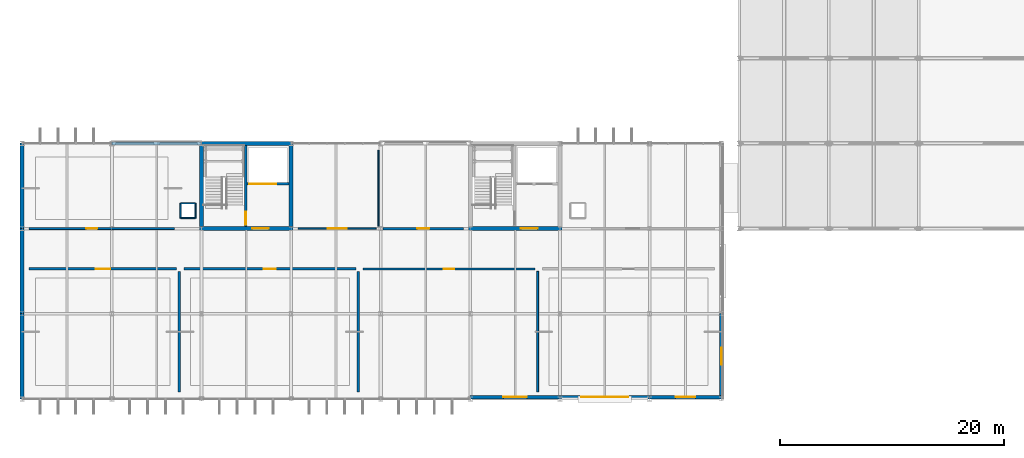
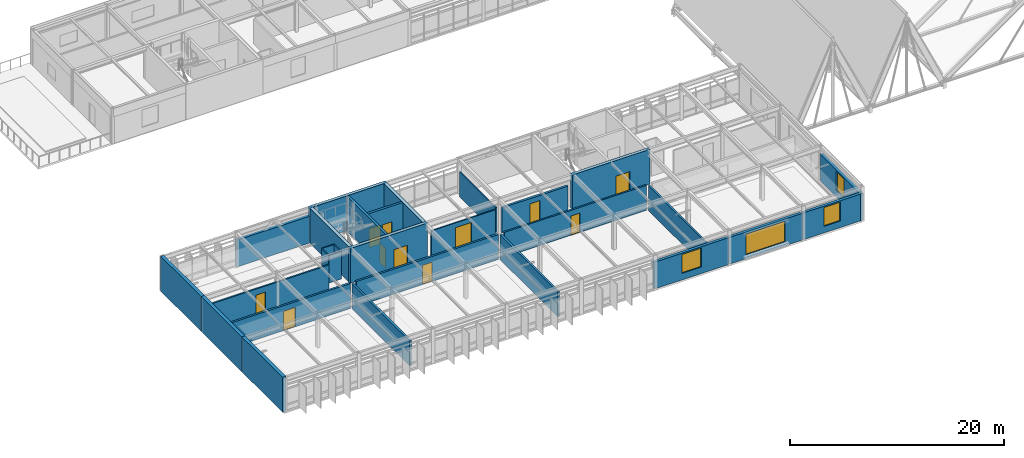
# One storey, part 69 of 85: 29 walls, 11 doors, 4 windows, 15 openings.
"""IFC4 building model written with IfcOpenShell, lengths in metres."""

from ifc_helpers import new_model, si_unit, direction, frame, frame_2d, origin, place, context, subcontext, project, spatial, rectangle, extrude, material, layer, layer_set, type_object, element, fill, save


model = new_model("IFC4")

# Units and contexts
model_context = context("Model", 3, precision=1e-05, world=origin(), true_north=direction((0.0, 1.0)))
body_context = subcontext(model_context, "Body", "Model", "MODEL_VIEW")
ifc_project = project(units=[si_unit("LENGTHUNIT", "METRE"), si_unit("AREAUNIT", "SQUARE_METRE"), si_unit("VOLUMEUNIT", "CUBIC_METRE"), si_unit("PLANEANGLEUNIT", "RADIAN"), si_unit("MASSUNIT", "GRAM", prefix="KILO")], contexts=[model_context])

# Site, building, storey
site_placement = place(None, origin())
site = spatial("IfcSite", under=ifc_project, at=site_placement, CompositionType="ELEMENT")
building_placement = place(site_placement, origin())
building = spatial("IfcBuilding", under=site, at=building_placement, Name="Zulena Civic Courthouse", CompositionType="ELEMENT")
storey_placement = place(building_placement, frame((0.0, 0.0, 25.199951171875)))
storey = spatial("IfcBuildingStorey", under=building, at=storey_placement, Name="L05", CompositionType="ELEMENT", Elevation=25.199951171875)

# Wall, opening, door
ifc_material_1 = material(Name="Concrete C40/50", Category="concrete")
ifc_layer_1 = layer(ifc_material_1, 0.25)
ifc_layer_set_1 = layer_set([ifc_layer_1], Name="Concrete C40/50")
wall_type_1 = type_object("IfcWallType", Name="CoreShearWall_RC250", PredefinedType="SHEAR", material=ifc_layer_set_1)
wall_1_placement = place(storey_placement, frame((23.949951171875, 15.375, 0.0), z_axis=(0.0, 0.0, 1.0), x_axis=(0.0, 1.0, 0.0)))
wall_1 = element("IfcWall", 1, at=wall_1_placement, inside=storey, type_object=wall_type_1, Name="cwall:K2A:L05:DIV", PredefinedType="SHEAR", context=body_context, shape_type="SweptSolid", body=[
    extrude(rectangle(XDim=7.25, YDim=0.25, at=frame_2d((3.625, 0.0))), origin(), (0.0, 0.0, 1.0), 3.989990234375),
])
opening_1_placement = place(wall_1_placement, frame((0.179931640625, 0.0, 0.0)))
opening_1 = element("IfcOpeningElement", 2, at=opening_1_placement, cuts=wall_1, Name="Opening ID08", PredefinedType="OPENING", context=body_context, shape_type="SweptSolid", body=[
    extrude(rectangle(XDim=1.14990234375, YDim=2.199951171875, at=frame_2d((0.574951171875, 1.10009765625))), frame((0.0, 0.135009765625, 0.0), z_axis=(0.0, -1.0, 0.0), x_axis=(1.0, 0.0, 0.0)), (0.0, 0.0, 1.0), 0.27001953125),
])
ifc_material_2 = material(Name="Fire-rated galvanised steel ASTM A653 Grade 50", Category="steel")
door_type_1 = type_object("IfcDoorType", Name="IntDoor_Stair_1150x2200", OperationType="NOTDEFINED", PredefinedType="DOOR", material=ifc_material_2)
door_1_placement = place(opening_1_placement, origin())
door_1 = element("IfcDoor", 3, at=door_1_placement, inside=storey, type_object=door_type_1, Name="door:stair:K2A:L05", OperationType="SINGLE_SWING_RIGHT", OverallHeight=2.199951171875, OverallWidth=1.14990234375, PredefinedType="DOOR", context=body_context, shape_type="SweptSolid", body=[
    extrude(rectangle(XDim=1.14990234375, YDim=2.199951171875, at=frame_2d((0.574951171875, 1.10009765625))), frame((0.0, 0.02490234375, 0.0), z_axis=(0.0, -1.0, 0.0), x_axis=(1.0, 0.0, 0.0)), (0.0, 0.0, 1.0), 0.050048828125),
])
fill(opening_1, door_1)

# Wall, openings, doors
wall_2_placement = place(storey_placement, frame((24.074951171875, 19.199951171875, 0.0), z_axis=(0.0, 0.0, 1.0), x_axis=(1.0, 0.0, 0.0)))
wall_2 = element("IfcWall", 4, at=wall_2_placement, inside=storey, type_object=wall_type_1, Name="cwall:K2A:L05:SHF", PredefinedType="SHEAR", context=body_context, shape_type="SweptSolid", body=[
    extrude(rectangle(XDim=3.75, YDim=0.25, at=frame_2d((1.875, 0.0))), origin(), (0.0, 0.0, 1.0), 3.989990234375),
])
opening_2_placement = place(wall_2_placement, frame((0.179931640625, 0.0, 0.0)))
opening_2 = element("IfcOpeningElement", 5, at=opening_2_placement, cuts=wall_2, Name="Opening LD01", PredefinedType="OPENING", context=body_context, shape_type="SweptSolid", body=[
    extrude(rectangle(XDim=1.199951171875, YDim=2.199951171875, at=frame_2d((0.60009765625, 1.10009765625))), frame((0.0, 0.135009765625, 0.0), z_axis=(0.0, -1.0, 0.0), x_axis=(1.0, 0.0, 0.0)), (0.0, 0.0, 1.0), 0.27001953125),
])
opening_3_placement = place(wall_2_placement, frame((1.550048828125, 0.0, 0.0)))
opening_3 = element("IfcOpeningElement", 6, at=opening_3_placement, cuts=wall_2, Name="Opening LD03", PredefinedType="OPENING", context=body_context, shape_type="SweptSolid", body=[
    extrude(rectangle(XDim=1.050048828125, YDim=2.199951171875, at=frame_2d((0.52490234375, 1.10009765625))), frame((0.0, 0.135009765625, 0.0), z_axis=(0.0, -1.0, 0.0), x_axis=(1.0, 0.0, 0.0)), (0.0, 0.0, 1.0), 0.27001953125),
])
door_type_2 = type_object("IfcDoorType", Name="LiftLandingDoor_FF_1200x2200", OperationType="SLIDING_TO_LEFT", PredefinedType="DOOR", material=ifc_material_2)
door_2_placement = place(opening_2_placement, origin())
door_2 = element("IfcDoor", 7, at=door_2_placement, inside=storey, type_object=door_type_2, Name="door:ld:FL-01:L05", OperationType="SLIDING_TO_LEFT", OverallHeight=2.199951171875, OverallWidth=1.199951171875, PredefinedType="DOOR", context=body_context, shape_type="SweptSolid", body=[
    extrude(rectangle(XDim=1.199951171875, YDim=2.199951171875, at=frame_2d((0.60009765625, 1.10009765625))), frame((0.0, 0.02490234375, 0.0), z_axis=(0.0, -1.0, 0.0), x_axis=(1.0, 0.0, 0.0)), (0.0, 0.0, 1.0), 0.050048828125),
])
fill(opening_2, door_2)
door_type_3 = type_object("IfcDoorType", Name="LiftLandingDoor_Jud_1050x2200", OperationType="SLIDING_TO_RIGHT", PredefinedType="DOOR", material=ifc_material_2)
door_3_placement = place(opening_3_placement, origin())
door_3 = element("IfcDoor", 8, at=door_3_placement, inside=storey, type_object=door_type_3, Name="door:ld:JL-01:L05", OperationType="SLIDING_TO_RIGHT", OverallHeight=2.199951171875, OverallWidth=1.050048828125, PredefinedType="DOOR", context=body_context, shape_type="SweptSolid", body=[
    extrude(rectangle(XDim=1.050048828125, YDim=2.199951171875, at=frame_2d((0.52490234375, 1.10009765625))), frame((0.0, 0.02490234375, 0.0), z_axis=(0.0, -1.0, 0.0), x_axis=(1.0, 0.0, 0.0)), (0.0, 0.0, 1.0), 0.050048828125),
])
fill(opening_3, door_3)

# Wall, opening, door
ifc_layer_2 = layer(ifc_material_1, 0.35009765625)
ifc_layer_set_2 = layer_set([ifc_layer_2], Name="Concrete C40/50")
wall_type_2 = type_object("IfcWallType", Name="CoreShearWall_RC350", PredefinedType="SHEAR", material=ifc_layer_set_2)
wall_3_placement = place(storey_placement, frame((19.824951171875, 15.199951171875, 0.0), z_axis=(0.0, 0.0, 1.0), x_axis=(1.0, 0.0, 0.0)))
wall_3 = element("IfcWall", 9, at=wall_3_placement, inside=storey, type_object=wall_type_2, Name="cwall:K2A:L05:S", PredefinedType="SHEAR", context=body_context, shape_type="SweptSolid", body=[
    extrude(rectangle(XDim=8.35009765625, YDim=0.35009765625, at=frame_2d((4.175048828125, 0.0))), origin(), (0.0, 0.0, 1.0), 3.989990234375),
])
opening_4_placement = place(wall_3_placement, frame((4.68505859375, 0.0, 0.0)))
opening_4 = element("IfcOpeningElement", 10, at=opening_4_placement, cuts=wall_3, Name="Opening ID05", PredefinedType="OPENING", context=body_context, shape_type="SweptSolid", body=[
    extrude(rectangle(XDim=1.5, YDim=2.199951171875, at=frame_2d((0.75, 1.10009765625))), frame((0.0, 0.18505859375, 0.0), z_axis=(0.0, -1.0, 0.0), x_axis=(1.0, 0.0, 0.0)), (0.0, 0.0, 1.0), 0.3701171875),
])
door_type_4 = type_object("IfcDoorType", Name="IntDoor_FFLobby_1500x2200", OperationType="DOUBLE_DOOR_SINGLE_SWING", PredefinedType="DOOR", material=ifc_material_2)
door_4_placement = place(opening_4_placement, origin())
door_4 = element("IfcDoor", 11, at=door_4_placement, inside=storey, type_object=door_type_4, Name="door:corelob:K2A:L05", OperationType="DOUBLE_DOOR_SINGLE_SWING", OverallHeight=2.199951171875, OverallWidth=1.5, PredefinedType="DOOR", context=body_context, shape_type="SweptSolid", body=[
    extrude(rectangle(XDim=1.5, YDim=2.199951171875, at=frame_2d((0.75, 1.10009765625))), frame((0.0, 0.02490234375, 0.0), z_axis=(0.0, -1.0, 0.0), x_axis=(1.0, 0.0, 0.0)), (0.0, 0.0, 1.0), 0.050048828125),
])
fill(opening_4, door_4)

# Walls
wall_4_placement = place(storey_placement, frame((19.824951171875, 22.800048828125, 0.0), z_axis=(0.0, 0.0, 1.0), x_axis=(1.0, 0.0, 0.0)))
element("IfcWall", 12, at=wall_4_placement, inside=storey, type_object=wall_type_2, Name="cwall:K2A:L05:N", PredefinedType="SHEAR", context=body_context, shape_type="SweptSolid", body=[
    extrude(rectangle(XDim=8.35009765625, YDim=0.35009765625, at=frame_2d((4.175048828125, 0.0))), origin(), (0.0, 0.0, 1.0), 3.989990234375),
])
for number, where, z_axis, x_axis, name in (
    (13, (20.0, 15.375, 0.0), (0.0, 0.0, 1.0), (0.0, 1.0, 0.0), "cwall:K2A:L05:W"),
    (14, (28.0, 15.375, 0.0), (0.0, 0.0, 1.0), (0.0, 1.0, 0.0), "cwall:K2A:L05:E"),
):
    element("IfcWall", number, at=place(storey_placement, frame(where, z_axis=z_axis, x_axis=x_axis)), inside=storey, type_object=wall_type_2, Name=name, PredefinedType="SHEAR", context=body_context, shape_type="SweptSolid", body=[
        extrude(rectangle(XDim=7.25, YDim=0.35009765625, at=frame_2d((3.625, 0.0))), origin(), (0.0, 0.0, 1.0), 3.989990234375),
    ])

# Wall, opening, door
wall_5_placement = place(storey_placement, frame((43.824951171875, 15.199951171875, 0.0), z_axis=(0.0, 0.0, 1.0), x_axis=(1.0, 0.0, 0.0)))
wall_5 = element("IfcWall", 15, at=wall_5_placement, inside=storey, type_object=wall_type_2, Name="cwall:K2B:L05:S", PredefinedType="SHEAR", context=body_context, shape_type="SweptSolid", body=[
    extrude(rectangle(XDim=8.35009765625, YDim=0.35009765625, at=frame_2d((4.175048828125, 0.0))), origin(), (0.0, 0.0, 1.0), 3.989990234375),
])
opening_5_placement = place(wall_5_placement, frame((4.68505859375, 0.0, 0.0)))
opening_5 = element("IfcOpeningElement", 16, at=opening_5_placement, cuts=wall_5, Name="Opening ID05", PredefinedType="OPENING", context=body_context, shape_type="SweptSolid", body=[
    extrude(rectangle(XDim=1.5, YDim=2.199951171875, at=frame_2d((0.75, 1.10009765625))), frame((0.0, 0.18505859375, 0.0), z_axis=(0.0, -1.0, 0.0), x_axis=(1.0, 0.0, 0.0)), (0.0, 0.0, 1.0), 0.3701171875),
])
door_5_placement = place(opening_5_placement, origin())
door_5 = element("IfcDoor", 17, at=door_5_placement, inside=storey, type_object=door_type_4, Name="door:corelob:K2B:L05", OperationType="DOUBLE_DOOR_SINGLE_SWING", OverallHeight=2.199951171875, OverallWidth=1.5, PredefinedType="DOOR", context=body_context, shape_type="SweptSolid", body=[
    extrude(rectangle(XDim=1.5, YDim=2.199951171875, at=frame_2d((0.75, 1.10009765625))), frame((0.0, 0.02490234375, 0.0), z_axis=(0.0, -1.0, 0.0), x_axis=(1.0, 0.0, 0.0)), (0.0, 0.0, 1.0), 0.050048828125),
])
fill(opening_5, door_5)

# Walls
ifc_layer_3 = layer(ifc_material_1, 0.360107421875)
ifc_layer_set_3 = layer_set([ifc_layer_3], Name="Concrete C40/50")
wall_type_3 = type_object("IfcWallType", Name="ExtWall_PartyWall_360", PredefinedType="STANDARD", material=ifc_layer_set_3)
wall_6_placement = place(storey_placement, frame((4.0, -0.02001953125, 0.0), z_axis=(0.0, 0.0, 1.0), x_axis=(0.0, 1.0, 0.0)))
element("IfcWall", 18, at=wall_6_placement, inside=storey, type_object=wall_type_3, Name="ewall:V2:L05:0:0", PredefinedType="STANDARD", context=body_context, shape_type="SweptSolid", body=[
    extrude(rectangle(XDim=7.64013671875, YDim=0.360107421875, at=frame_2d((3.820068359375, 0.0))), origin(), (0.0, 0.0, 1.0), 4.0),
])
wall_7_placement = place(storey_placement, frame((4.0, 7.580078125, 0.0), z_axis=(0.0, 0.0, 1.0), x_axis=(0.0, 1.0, 0.0)))
element("IfcWall", 19, at=wall_7_placement, inside=storey, type_object=wall_type_3, Name="ewall:V2:L05:0:1", PredefinedType="STANDARD", context=body_context, shape_type="SweptSolid", body=[
    extrude(rectangle(XDim=7.639892578125, YDim=0.360107421875, at=frame_2d((3.81982421875, 0.0))), origin(), (0.0, 0.0, 1.0), 4.0),
])
wall_8_placement = place(storey_placement, frame((4.0, 15.179931640625, 0.0), z_axis=(0.0, 0.0, 1.0), x_axis=(0.0, 1.0, 0.0)))
element("IfcWall", 20, at=wall_8_placement, inside=storey, type_object=wall_type_3, Name="ewall:V2:L05:0:2", PredefinedType="STANDARD", context=body_context, shape_type="SweptSolid", body=[
    extrude(rectangle(XDim=7.64013671875, YDim=0.360107421875, at=frame_2d((3.820068359375, 0.0))), origin(), (0.0, 0.0, 1.0), 4.0),
])
ifc_material_3 = material(Name="White architectural precast concrete C40/50", Category="concrete")
ifc_layer_4 = layer(ifc_material_3, 0.300048828125)
ifc_layer_set_4 = layer_set([ifc_layer_4], Name="White architectural precast concrete C40/50")
wall_type_4 = type_object("IfcWallType", Name="ExtWall_WhitePrecast_300", PredefinedType="STANDARD", material=ifc_layer_set_4)
wall_9_placement = place(storey_placement, frame((11.97998046875, 22.800048828125, 0.0), z_axis=(0.0, 0.0, 1.0), x_axis=(1.0, 0.0, 0.0)))
element("IfcWall", 21, at=wall_9_placement, inside=storey, type_object=wall_type_4, Name="ewall:V2:L05:1:1", PredefinedType="STANDARD", context=body_context, shape_type="SweptSolid", body=[
    extrude(rectangle(XDim=8.0400390625, YDim=0.300048828125, at=frame_2d((4.02001953125, 0.0))), origin(), (0.0, 0.0, 1.0), 3.06005859375),
])

# Wall, opening, window
wall_10_placement = place(storey_placement, frame((66.39990234375, 7.6201171875, 0.0), z_axis=(0.0, 0.0, 1.0), x_axis=(0.0, -1.0, 0.0)))
wall_10 = element("IfcWall", 22, at=wall_10_placement, inside=storey, type_object=wall_type_4, Name="ewall:V2:L05:2:2", PredefinedType="STANDARD", context=body_context, shape_type="SweptSolid", body=[
    extrude(rectangle(XDim=7.64013671875, YDim=0.300048828125, at=frame_2d((3.820068359375, 0.0))), origin(), (0.0, 0.0, 1.0), 3.06005859375),
])
opening_6_placement = place(wall_10_placement, frame((3.070068359375, 0.0, 0.75)))
opening_6 = element("IfcOpeningElement", 23, at=opening_6_placement, cuts=wall_10, Name="Opening WN09", PredefinedType="OPENING", context=body_context, shape_type="SweptSolid", body=[
    extrude(rectangle(XDim=1.5, YDim=2.14990234375, at=frame_2d((0.75, 1.074951171875))), frame((0.0, 0.159912109375, 0.0), z_axis=(0.0, -1.0, 0.0), x_axis=(1.0, 0.0, 0.0)), (0.0, 0.0, 1.0), 0.320068359375),
])
ifc_material_4 = material(Name="Double-silver low-E laminated solar-control glass", Category="glass")
window_type_1 = type_object("IfcWindowType", Name="Win_1500x2150", PartitioningType="SINGLE_PANEL", PredefinedType="WINDOW", material=ifc_material_4)
window_1_placement = place(opening_6_placement, origin())
window_1 = element("IfcWindow", 24, at=window_1_placement, inside=storey, type_object=window_type_1, Name="win:V2:L05:2:2", OverallHeight=2.14990234375, OverallWidth=1.5, PartitioningType="SINGLE_PANEL", PredefinedType="WINDOW", context=body_context, shape_type="SweptSolid", body=[
    extrude(rectangle(XDim=1.5, YDim=2.14990234375, at=frame_2d((0.75, 1.074951171875))), frame((0.0, 0.030029296875, 0.0), z_axis=(0.0, -1.0, 0.0), x_axis=(1.0, 0.0, 0.0)), (0.0, 0.0, 1.0), 0.06005859375),
])
fill(opening_6, window_1)

wall_11_placement = place(storey_placement, frame((66.419921875, 0.159912109375, 0.0), z_axis=(0.0, 0.0, 1.0), x_axis=(-1.0, 0.0, 0.0)))
wall_11 = element("IfcWall", 25, at=wall_11_placement, inside=storey, type_object=wall_type_4, Name="ewall:V2:L05:3:0", PredefinedType="STANDARD", context=body_context, shape_type="SweptSolid", body=[
    extrude(rectangle(XDim=6.43994140625, YDim=0.300048828125, at=frame_2d((3.219970703125, 0.0))), origin(), (0.0, 0.0, 1.0), 3.06005859375),
])
opening_7_placement = place(wall_11_placement, frame((2.344970703125, 0.0, 0.75)))
opening_7 = element("IfcOpeningElement", 26, at=opening_7_placement, cuts=wall_11, Name="Opening WN10", PredefinedType="OPENING", context=body_context, shape_type="SweptSolid", body=[
    extrude(rectangle(XDim=1.75, YDim=2.14990234375, at=frame_2d((0.875, 1.074951171875))), frame((0.0, 0.159912109375, 0.0), z_axis=(0.0, -1.0, 0.0), x_axis=(1.0, 0.0, 0.0)), (0.0, 0.0, 1.0), 0.320068359375),
])
window_type_2 = type_object("IfcWindowType", Name="Win_1750x2150", PartitioningType="SINGLE_PANEL", PredefinedType="WINDOW", material=ifc_material_4)
window_2_placement = place(opening_7_placement, origin())
window_2 = element("IfcWindow", 27, at=window_2_placement, inside=storey, type_object=window_type_2, Name="win:V2:L05:3:0", OverallHeight=2.14990234375, OverallWidth=1.75, PartitioningType="SINGLE_PANEL", PredefinedType="WINDOW", context=body_context, shape_type="SweptSolid", body=[
    extrude(rectangle(XDim=1.75, YDim=2.14990234375, at=frame_2d((0.875, 1.074951171875))), frame((0.0, 0.030029296875, 0.0), z_axis=(0.0, -1.0, 0.0), x_axis=(1.0, 0.0, 0.0)), (0.0, 0.0, 1.0), 0.06005859375),
])
fill(opening_7, window_2)

wall_12_placement = place(storey_placement, frame((60.02001953125, 0.159912109375, 0.0), z_axis=(0.0, 0.0, 1.0), x_axis=(-1.0, 0.0, 0.0)))
wall_12 = element("IfcWall", 28, at=wall_12_placement, inside=storey, type_object=wall_type_4, Name="ewall:V2:L05:3:1", PredefinedType="STANDARD", context=body_context, shape_type="SweptSolid", body=[
    extrude(rectangle(XDim=8.0400390625, YDim=0.300048828125, at=frame_2d((4.02001953125, 0.0))), origin(), (0.0, 0.0, 1.0), 3.06005859375),
])
opening_8_placement = place(wall_12_placement, frame((1.919921875, 0.0, 0.449951171875)))
opening_8 = element("IfcOpeningElement", 29, at=opening_8_placement, cuts=wall_12, Name="Opening WN49", PredefinedType="OPENING", context=body_context, shape_type="SweptSolid", body=[
    extrude(rectangle(XDim=4.199951171875, YDim=2.360107421875, at=frame_2d((2.10009765625, 1.18017578125))), frame((0.0, 0.159912109375, 0.0), z_axis=(0.0, -1.0, 0.0), x_axis=(1.0, 0.0, 0.0)), (0.0, 0.0, 1.0), 0.320068359375),
])
window_type_3 = type_object("IfcWindowType", Name="Win_4200x2800", PartitioningType="DOUBLE_PANEL_VERTICAL", PredefinedType="WINDOW", material=ifc_material_4)
window_3_placement = place(opening_8_placement, origin())
window_3 = element("IfcWindow", 30, at=window_3_placement, inside=storey, type_object=window_type_3, Name="win:outlook:L05:3:1", OverallHeight=2.360107421875, OverallWidth=4.199951171875, PartitioningType="SINGLE_PANEL", PredefinedType="WINDOW", context=body_context, shape_type="SweptSolid", body=[
    extrude(rectangle(XDim=4.199951171875, YDim=2.360107421875, at=frame_2d((2.10009765625, 1.18017578125))), frame((0.0, 0.030029296875, 0.0), z_axis=(0.0, -1.0, 0.0), x_axis=(1.0, 0.0, 0.0)), (0.0, 0.0, 1.0), 0.06005859375),
])
fill(opening_8, window_3)

wall_13_placement = place(storey_placement, frame((52.02001953125, 0.159912109375, 0.0), z_axis=(0.0, 0.0, 1.0), x_axis=(-1.0, 0.0, 0.0)))
wall_13 = element("IfcWall", 31, at=wall_13_placement, inside=storey, type_object=wall_type_4, Name="ewall:V2:L05:3:2", PredefinedType="STANDARD", context=body_context, shape_type="SweptSolid", body=[
    extrude(rectangle(XDim=8.0400390625, YDim=0.300048828125, at=frame_2d((4.02001953125, 0.0))), origin(), (0.0, 0.0, 1.0), 3.06005859375),
])
opening_9_placement = place(wall_13_placement, frame((2.969970703125, 0.0, 0.75)))
opening_9 = element("IfcOpeningElement", 32, at=opening_9_placement, cuts=wall_13, Name="Opening WN11", PredefinedType="OPENING", context=body_context, shape_type="SweptSolid", body=[
    extrude(rectangle(XDim=2.10009765625, YDim=2.14990234375, at=frame_2d((1.050048828125, 1.074951171875))), frame((0.0, 0.159912109375, 0.0), z_axis=(0.0, -1.0, 0.0), x_axis=(1.0, 0.0, 0.0)), (0.0, 0.0, 1.0), 0.320068359375),
])
window_type_4 = type_object("IfcWindowType", Name="Win_2100x2150", PartitioningType="DOUBLE_PANEL_VERTICAL", PredefinedType="WINDOW", material=ifc_material_4)
window_4_placement = place(opening_9_placement, origin())
window_4 = element("IfcWindow", 33, at=window_4_placement, inside=storey, type_object=window_type_4, Name="win:V2:L05:3:2", OverallHeight=2.14990234375, OverallWidth=2.10009765625, PartitioningType="SINGLE_PANEL", PredefinedType="WINDOW", context=body_context, shape_type="SweptSolid", body=[
    extrude(rectangle(XDim=2.10009765625, YDim=2.14990234375, at=frame_2d((1.050048828125, 1.074951171875))), frame((0.0, 0.030029296875, 0.0), z_axis=(0.0, -1.0, 0.0), x_axis=(1.0, 0.0, 0.0)), (0.0, 0.0, 1.0), 0.06005859375),
])
fill(opening_9, window_4)

# Wall, opening, door
ifc_material_5 = material(Name="Acoustic fire-rated gypsum board assembly", Category="masonry")
ifc_layer_5 = layer(ifc_material_5, 0.177978515625)
ifc_layer_set_5 = layer_set([ifc_layer_5], Name="Acoustic fire-rated gypsum board assembly")
wall_type_5 = type_object("IfcWallType", Name="PartWall_Corridor_178", PredefinedType="PARTITIONING", material=ifc_layer_set_5)
wall_14_placement = place(storey_placement, frame((34.419921875, 11.60009765625, 0.0), z_axis=(0.0, 0.0, 1.0), x_axis=(1.0, 0.0, 0.0)))
wall_14 = element("IfcWall", 34, at=wall_14_placement, inside=storey, type_object=wall_type_5, Name="pwall:L05:334:0", PredefinedType="PARTITIONING", context=body_context, shape_type="SweptSolid", body=[
    extrude(rectangle(XDim=15.360107421875, YDim=0.177978515625, at=frame_2d((7.68017578125, 0.0))), origin(), (0.0, 0.0, 1.0), 2.85009765625),
])
opening_10_placement = place(wall_14_placement, frame((7.2099609375, 0.0, 0.0)))
opening_10 = element("IfcOpeningElement", 35, at=opening_10_placement, cuts=wall_14, Name="Opening ID22", PredefinedType="OPENING", context=body_context, shape_type="SweptSolid", body=[
    extrude(rectangle(XDim=0.93994140625, YDim=2.199951171875, at=frame_2d((0.469970703125, 1.10009765625))), frame((0.0, 0.098876953125, 0.0), z_axis=(0.0, -1.0, 0.0), x_axis=(1.0, 0.0, 0.0)), (0.0, 0.0, 1.0), 0.197998046875),
])
ifc_material_6 = material(Name="Solid-core acoustic hardwood timber", Category="wood")
door_type_5 = type_object("IfcDoorType", Name="IntDoor_Witness_940x2200", OperationType="NOTDEFINED", PredefinedType="DOOR", material=ifc_material_6)
door_6_placement = place(opening_10_placement, origin())
door_6 = element("IfcDoor", 36, at=door_6_placement, inside=storey, type_object=door_type_5, Name="door:rm:L05:334", OperationType="SINGLE_SWING_LEFT", OverallHeight=2.199951171875, OverallWidth=0.93994140625, PredefinedType="DOOR", context=body_context, shape_type="SweptSolid", body=[
    extrude(rectangle(XDim=0.93994140625, YDim=2.199951171875, at=frame_2d((0.469970703125, 1.10009765625))), frame((0.0, 0.02490234375, 0.0), z_axis=(0.0, -1.0, 0.0), x_axis=(1.0, 0.0, 0.0)), (0.0, 0.0, 1.0), 0.050048828125),
])
fill(opening_10, door_6)

# Wall
wall_15_placement = place(storey_placement, frame((50.0, 0.6201171875, 0.0), z_axis=(0.0, 0.0, 1.0), x_axis=(0.0, 1.0, 0.0)))
element("IfcWall", 37, at=wall_15_placement, inside=storey, type_object=wall_type_5, Name="pwall:L05:334:1", PredefinedType="PARTITIONING", context=body_context, shape_type="SweptSolid", body=[
    extrude(rectangle(XDim=10.759765625, YDim=0.177978515625, at=frame_2d((5.3798828125, 0.0))), origin(), (0.0, 0.0, 1.0), 2.85009765625),
])

# Wall, opening, door
ifc_layer_6 = layer(ifc_material_5, 0.215087890625)
ifc_layer_set_6 = layer_set([ifc_layer_6], Name="Acoustic fire-rated gypsum board assembly")
wall_type_6 = type_object("IfcWallType", Name="PartWall_CourtAcoustic_215", PredefinedType="PARTITIONING", material=ifc_layer_set_6)
wall_16_placement = place(storey_placement, frame((4.6201171875, 11.60009765625, 0.0), z_axis=(0.0, 0.0, 1.0), x_axis=(1.0, 0.0, 0.0)))
wall_16 = element("IfcWall", 38, at=wall_16_placement, inside=storey, type_object=wall_type_6, Name="pwall:L05:332:0", PredefinedType="PARTITIONING", context=body_context, shape_type="SweptSolid", body=[
    extrude(rectangle(XDim=13.159912109375, YDim=0.215087890625, at=frame_2d((6.580078125, 0.0))), origin(), (0.0, 0.0, 1.0), 2.85009765625),
])
opening_11_placement = place(wall_16_placement, frame((5.929931640625, 0.0, 0.0)))
opening_11 = element("IfcOpeningElement", 39, at=opening_11_placement, cuts=wall_16, Name="Opening ID20", PredefinedType="OPENING", context=body_context, shape_type="SweptSolid", body=[
    extrude(rectangle(XDim=1.300048828125, YDim=2.199951171875, at=frame_2d((0.64990234375, 1.10009765625))), frame((0.0, 0.117431640625, 0.0), z_axis=(0.0, -1.0, 0.0), x_axis=(1.0, 0.0, 0.0)), (0.0, 0.0, 1.0), 0.235107421875),
])
door_type_6 = type_object("IfcDoorType", Name="IntDoor_Archive_1300x2200", OperationType="NOTDEFINED", PredefinedType="DOOR", material=ifc_material_2)
door_7_placement = place(opening_11_placement, origin())
door_7 = element("IfcDoor", 40, at=door_7_placement, inside=storey, type_object=door_type_6, Name="door:rm:L05:332", OperationType="SINGLE_SWING_LEFT", OverallHeight=2.199951171875, OverallWidth=1.300048828125, PredefinedType="DOOR", context=body_context, shape_type="SweptSolid", body=[
    extrude(rectangle(XDim=1.300048828125, YDim=2.199951171875, at=frame_2d((0.64990234375, 1.10009765625))), frame((0.0, 0.02490234375, 0.0), z_axis=(0.0, -1.0, 0.0), x_axis=(1.0, 0.0, 0.0)), (0.0, 0.0, 1.0), 0.050048828125),
])
fill(opening_11, door_7)

# Wall
wall_17_placement = place(storey_placement, frame((18.0, 0.6201171875, 0.0), z_axis=(0.0, 0.0, 1.0), x_axis=(0.0, 1.0, 0.0)))
element("IfcWall", 41, at=wall_17_placement, inside=storey, type_object=wall_type_6, Name="pwall:L05:332:1", PredefinedType="PARTITIONING", context=body_context, shape_type="SweptSolid", body=[
    extrude(rectangle(XDim=10.759765625, YDim=0.215087890625, at=frame_2d((5.3798828125, 0.0))), origin(), (0.0, 0.0, 1.0), 2.85009765625),
])

# Wall, opening, door
wall_18_placement = place(storey_placement, frame((18.419921875, 11.60009765625, 0.0), z_axis=(0.0, 0.0, 1.0), x_axis=(1.0, 0.0, 0.0)))
wall_18 = element("IfcWall", 42, at=wall_18_placement, inside=storey, type_object=wall_type_6, Name="pwall:L05:333:0", PredefinedType="PARTITIONING", context=body_context, shape_type="SweptSolid", body=[
    extrude(rectangle(XDim=15.360107421875, YDim=0.215087890625, at=frame_2d((7.68017578125, 0.0))), origin(), (0.0, 0.0, 1.0), 2.85009765625),
])
opening_12_placement = place(wall_18_placement, frame((7.159912109375, 0.0, 0.0)))
opening_12 = element("IfcOpeningElement", 43, at=opening_12_placement, cuts=wall_18, Name="Opening ID21", PredefinedType="OPENING", context=body_context, shape_type="SweptSolid", body=[
    extrude(rectangle(XDim=1.0400390625, YDim=2.199951171875, at=frame_2d((0.52001953125, 1.10009765625))), frame((0.0, 0.117431640625, 0.0), z_axis=(0.0, -1.0, 0.0), x_axis=(1.0, 0.0, 0.0)), (0.0, 0.0, 1.0), 0.235107421875),
])
door_type_7 = type_object("IfcDoorType", Name="IntDoor_Mediation_1040x2200", OperationType="NOTDEFINED", PredefinedType="DOOR", material=ifc_material_6)
door_8_placement = place(opening_12_placement, origin())
door_8 = element("IfcDoor", 44, at=door_8_placement, inside=storey, type_object=door_type_7, Name="door:rm:L05:333", OperationType="SINGLE_SWING_RIGHT", OverallHeight=2.199951171875, OverallWidth=1.0400390625, PredefinedType="DOOR", context=body_context, shape_type="SweptSolid", body=[
    extrude(rectangle(XDim=1.0400390625, YDim=2.199951171875, at=frame_2d((0.52001953125, 1.10009765625))), frame((0.0, 0.02490234375, 0.0), z_axis=(0.0, -1.0, 0.0), x_axis=(1.0, 0.0, 0.0)), (0.0, 0.0, 1.0), 0.050048828125),
])
fill(opening_12, door_8)

# Wall
wall_19_placement = place(storey_placement, frame((34.0, 0.6201171875, 0.0), z_axis=(0.0, 0.0, 1.0), x_axis=(0.0, 1.0, 0.0)))
element("IfcWall", 45, at=wall_19_placement, inside=storey, type_object=wall_type_6, Name="pwall:L05:333:1", PredefinedType="PARTITIONING", context=body_context, shape_type="SweptSolid", body=[
    extrude(rectangle(XDim=10.759765625, YDim=0.215087890625, at=frame_2d((5.3798828125, 0.0))), origin(), (0.0, 0.0, 1.0), 2.85009765625),
])

# Wall, opening, door
ifc_material_7 = material(Name="Insulated blockwork masonry ASTM C90", Category="masonry")
ifc_layer_7 = layer(ifc_material_7, 0.239990234375)
ifc_layer_set_7 = layer_set([ifc_layer_7], Name="Insulated blockwork masonry ASTM C90")
wall_type_7 = type_object("IfcWallType", Name="PartWall_Custody_240", PredefinedType="PARTITIONING", material=ifc_layer_set_7)
wall_20_placement = place(storey_placement, frame((36.219970703125, 15.199951171875, 0.0), z_axis=(0.0, 0.0, 1.0), x_axis=(1.0, 0.0, 0.0)))
wall_20 = element("IfcWall", 46, at=wall_20_placement, inside=storey, type_object=wall_type_7, Name="pwall:L05:338:0", PredefinedType="PARTITIONING", context=body_context, shape_type="SweptSolid", body=[
    extrude(rectangle(XDim=7.159912109375, YDim=0.239990234375, at=frame_2d((3.580078125, 0.0))), origin(), (0.0, 0.0, 1.0), 2.85009765625),
])
opening_13_placement = place(wall_20_placement, frame((3.0400390625, 0.0, 0.0)))
opening_13 = element("IfcOpeningElement", 47, at=opening_13_placement, cuts=wall_20, Name="Opening ID26", PredefinedType="OPENING", context=body_context, shape_type="SweptSolid", body=[
    extrude(rectangle(XDim=1.080078125, YDim=2.25, at=frame_2d((0.5400390625, 1.125))), frame((0.0, 0.1298828125, 0.0), z_axis=(0.0, -1.0, 0.0), x_axis=(1.0, 0.0, 0.0)), (0.0, 0.0, 1.0), 0.260009765625),
])
door_type_8 = type_object("IfcDoorType", Name="IntDoor_PlantSingle_1080x2250", OperationType="NOTDEFINED", PredefinedType="DOOR", material=ifc_material_2)
door_9_placement = place(opening_13_placement, origin())
door_9 = element("IfcDoor", 48, at=door_9_placement, inside=storey, type_object=door_type_8, Name="door:rm:L05:338", OperationType="SINGLE_SWING_RIGHT", OverallHeight=2.25, OverallWidth=1.080078125, PredefinedType="DOOR", context=body_context, shape_type="SweptSolid", body=[
    extrude(rectangle(XDim=1.080078125, YDim=2.25, at=frame_2d((0.5400390625, 1.125))), frame((0.0, 0.02490234375, 0.0), z_axis=(0.0, -1.0, 0.0), x_axis=(1.0, 0.0, 0.0)), (0.0, 0.0, 1.0), 0.050048828125),
])
fill(opening_13, door_9)

ifc_layer_8 = layer(ifc_material_5, 0.162109375)
ifc_layer_set_8 = layer_set([ifc_layer_8], Name="Acoustic fire-rated gypsum board assembly")
wall_type_8 = type_object("IfcWallType", Name="PartWall_Jury_162", PredefinedType="PARTITIONING", material=ifc_layer_set_8)
wall_21_placement = place(storey_placement, frame((4.6201171875, 15.199951171875, 0.0), z_axis=(0.0, 0.0, 1.0), x_axis=(1.0, 0.0, 0.0)))
wall_21 = element("IfcWall", 49, at=wall_21_placement, inside=storey, type_object=wall_type_8, Name="pwall:L05:336:0", PredefinedType="PARTITIONING", context=body_context, shape_type="SweptSolid", body=[
    extrude(rectangle(XDim=12.9599609375, YDim=0.162109375, at=frame_2d((6.47998046875, 0.0))), origin(), (0.0, 0.0, 1.0), 2.85009765625),
])
opening_14_placement = place(wall_21_placement, frame((5.080078125, 0.0, 0.0)))
opening_14 = element("IfcOpeningElement", 50, at=opening_14_placement, cuts=wall_21, Name="Opening ID24", PredefinedType="OPENING", context=body_context, shape_type="SweptSolid", body=[
    extrude(rectangle(XDim=1.0, YDim=2.14990234375, at=frame_2d((0.5, 1.074951171875))), frame((0.0, 0.091064453125, 0.0), z_axis=(0.0, -1.0, 0.0), x_axis=(1.0, 0.0, 0.0)), (0.0, 0.0, 1.0), 0.18212890625),
])
door_type_9 = type_object("IfcDoorType", Name="IntDoor_AccWC_1000x2150", OperationType="NOTDEFINED", PredefinedType="DOOR", material=ifc_material_6)
door_10_placement = place(opening_14_placement, origin())
door_10 = element("IfcDoor", 51, at=door_10_placement, inside=storey, type_object=door_type_9, Name="door:rm:L05:336", OperationType="SINGLE_SWING_LEFT", OverallHeight=2.14990234375, OverallWidth=1.0, PredefinedType="DOOR", context=body_context, shape_type="SweptSolid", body=[
    extrude(rectangle(XDim=1.0, YDim=2.14990234375, at=frame_2d((0.5, 1.074951171875))), frame((0.0, 0.02490234375, 0.0), z_axis=(0.0, -1.0, 0.0), x_axis=(1.0, 0.0, 0.0)), (0.0, 0.0, 1.0), 0.050048828125),
])
fill(opening_14, door_10)

# Walls
ifc_layer_9 = layer(ifc_material_7, 0.114990234375)
ifc_layer_set_9 = layer_set([ifc_layer_9], Name="Insulated blockwork masonry ASTM C90")
wall_type_9 = type_object("IfcWallType", Name="PartWall_Riser_115", PredefinedType="PARTITIONING", material=ifc_layer_set_9)
for number, where, z_axis, x_axis, name in (
    (52, (18.139892578125, 16.139892578125, 0.0), (0.0, 0.0, 1.0), (1.0, 0.0, 0.0), "riser:RS-V2W:L05:0"),
    (53, (19.4599609375, 16.139892578125, 0.0), (0.0, 0.0, 1.0), (0.0, 1.0, 0.0), "riser:RS-V2W:L05:1"),
    (54, (19.4599609375, 17.4599609375, 0.0), (0.0, 0.0, 1.0), (-1.0, 0.0, 0.0), "riser:RS-V2W:L05:2"),
    (55, (18.139892578125, 17.4599609375, 0.0), (0.0, 0.0, 1.0), (0.0, -1.0, 0.0), "riser:RS-V2W:L05:3"),
):
    element("IfcWall", number, at=place(storey_placement, frame(where, z_axis=z_axis, x_axis=x_axis)), inside=storey, type_object=wall_type_9, Name=name, PredefinedType="PARTITIONING", context=body_context, shape_type="SweptSolid", body=[
        extrude(rectangle(XDim=1.320068359375, YDim=0.114990234375, at=frame_2d((0.66015625, 0.0))), origin(), (0.0, 0.0, 1.0), 3.150146484375),
    ])

# Wall, opening, door
ifc_layer_10 = layer(ifc_material_7, 0.1279296875)
ifc_layer_set_10 = layer_set([ifc_layer_10], Name="Insulated blockwork masonry ASTM C90")
wall_type_10 = type_object("IfcWallType", Name="PartWall_WetRoom_128", PredefinedType="PARTITIONING", material=ifc_layer_set_10)
wall_22_placement = place(storey_placement, frame((28.6201171875, 15.199951171875, 0.0), z_axis=(0.0, 0.0, 1.0), x_axis=(1.0, 0.0, 0.0)))
wall_22 = element("IfcWall", 56, at=wall_22_placement, inside=storey, type_object=wall_type_10, Name="pwall:L05:337:0", PredefinedType="PARTITIONING", context=body_context, shape_type="SweptSolid", body=[
    extrude(rectangle(XDim=6.9599609375, YDim=0.1279296875, at=frame_2d((3.47998046875, 0.0))), origin(), (0.0, 0.0, 1.0), 2.85009765625),
])
opening_15_placement = place(wall_22_placement, frame((2.6298828125, 0.0, 0.0)))
opening_15 = element("IfcOpeningElement", 57, at=opening_15_placement, cuts=wall_22, Name="Opening ID25", PredefinedType="OPENING", context=body_context, shape_type="SweptSolid", body=[
    extrude(rectangle(XDim=1.699951171875, YDim=2.300048828125, at=frame_2d((0.85009765625, 1.14990234375))), frame((0.0, 0.073974609375, 0.0), z_axis=(0.0, -1.0, 0.0), x_axis=(1.0, 0.0, 0.0)), (0.0, 0.0, 1.0), 0.14794921875),
])
door_type_10 = type_object("IfcDoorType", Name="IntDoor_PlantDouble_1700x2300", OperationType="DOUBLE_DOOR_SINGLE_SWING", PredefinedType="DOOR", material=ifc_material_2)
door_11_placement = place(opening_15_placement, origin())
door_11 = element("IfcDoor", 58, at=door_11_placement, inside=storey, type_object=door_type_10, Name="door:rm:L05:337", OperationType="DOUBLE_DOOR_SINGLE_SWING", OverallHeight=2.300048828125, OverallWidth=1.699951171875, PredefinedType="DOOR", context=body_context, shape_type="SweptSolid", body=[
    extrude(rectangle(XDim=1.699951171875, YDim=2.300048828125, at=frame_2d((0.85009765625, 1.14990234375))), frame((0.0, 0.02490234375, 0.0), z_axis=(0.0, -1.0, 0.0), x_axis=(1.0, 0.0, 0.0)), (0.0, 0.0, 1.0), 0.050048828125),
])
fill(opening_15, door_11)

# Wall
wall_23_placement = place(storey_placement, frame((35.800048828125, 15.419921875, 0.0), z_axis=(0.0, 0.0, 1.0), x_axis=(0.0, 1.0, 0.0)))
element("IfcWall", 59, at=wall_23_placement, inside=storey, type_object=wall_type_10, Name="pwall:L05:337:1", PredefinedType="PARTITIONING", context=body_context, shape_type="SweptSolid", body=[
    extrude(rectangle(XDim=6.760009765625, YDim=0.1279296875, at=frame_2d((3.3798828125, 0.0))), origin(), (0.0, 0.0, 1.0), 2.85009765625),
])

save(model, "model.ifc")
